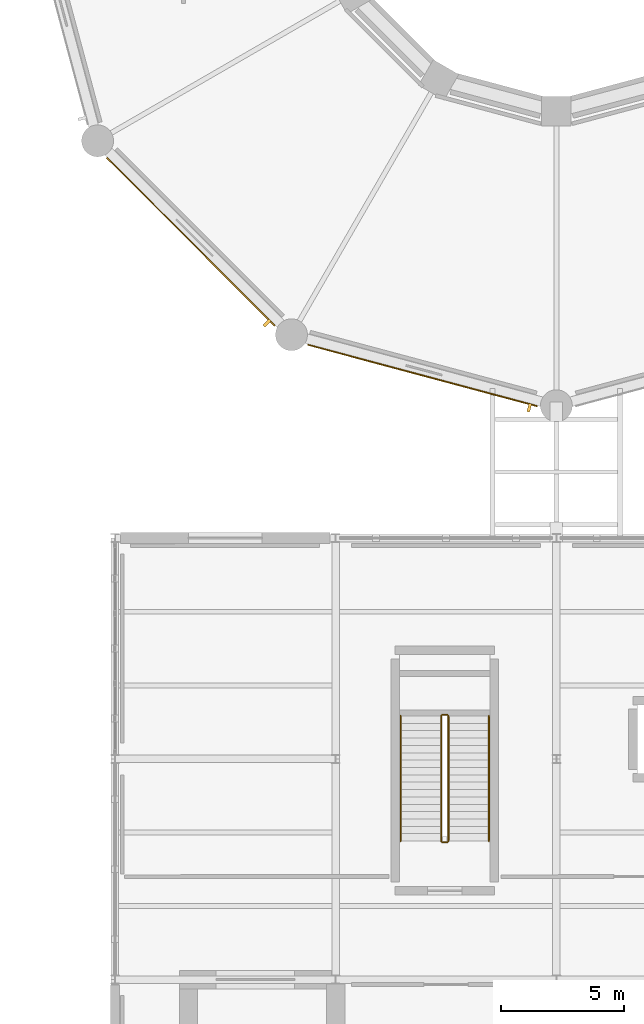
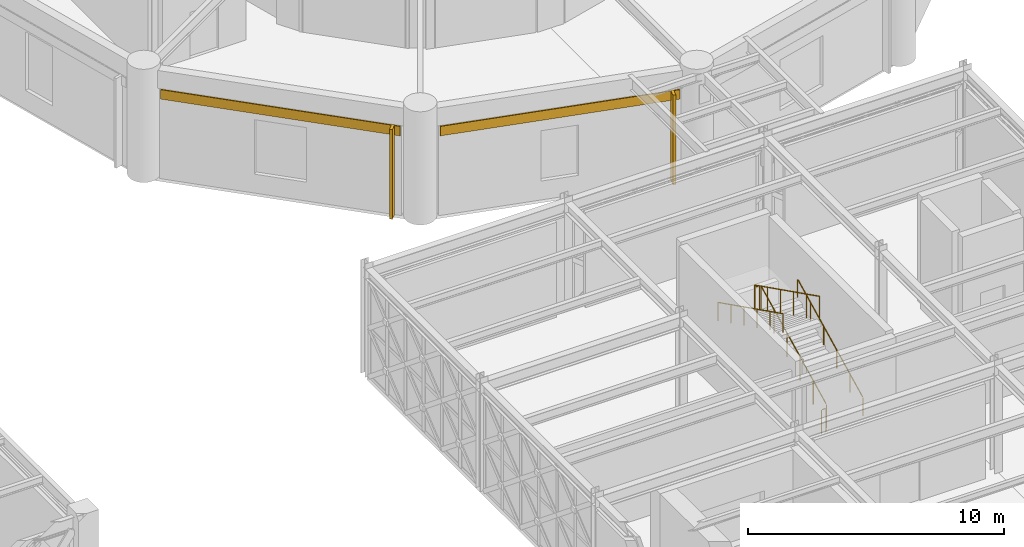
# One storey, part 157 of 166: 6 railings, 2 coverings, 2 shading devices.
"""IFC4 building model written with IfcOpenShell, lengths in metres."""

from ifc_helpers import new_model, si_unit, direction, frame, origin, origin_2d, place, context, subcontext, project, spatial, rectangle, circle, extrude, material, type_object, element, save


model = new_model("IFC4")

# Units and contexts
model_context = context("Model", 3, precision=1e-05, world=origin(), true_north=direction((0.0, 1.0)))
body_context = subcontext(model_context, "Body", "Model", "MODEL_VIEW")
ifc_project = project(units=[si_unit("LENGTHUNIT", "METRE"), si_unit("AREAUNIT", "SQUARE_METRE"), si_unit("VOLUMEUNIT", "CUBIC_METRE"), si_unit("PLANEANGLEUNIT", "RADIAN"), si_unit("MASSUNIT", "GRAM", prefix="KILO")], contexts=[model_context])

# Site, building, storey
site_placement = place(None, origin())
site = spatial("IfcSite", under=ifc_project, at=site_placement, CompositionType="ELEMENT")
building_placement = place(site_placement, origin())
building = spatial("IfcBuilding", under=site, at=building_placement, Name="Haizhuo Lancet Aquarium", CompositionType="ELEMENT")
storey_placement = place(building_placement, frame((0.0, 0.0, 5.39990234375)))
storey = spatial("IfcBuildingStorey", under=building, at=storey_placement, Name="L01", CompositionType="ELEMENT", Elevation=5.39990234375)

# Railings
ifc_material_1 = material(Name="Steel S355", Category="steel")
railing_type_1 = type_object("IfcRailingType", Name="RL-GRD-1150", PredefinedType="GUARDRAIL", material=ifc_material_1)
railing_1_placement = place(storey_placement, frame((-4.39990234375, -39.35009765625, 0.150146484375)))
element("IfcRailing", 1, at=railing_1_placement, inside=storey, type_object=railing_type_1, Name="L01 ST-06 stair guard 1", PredefinedType="GUARDRAIL", context=body_context, shape_type="SweptSolid", body=[
    extrude(circle(Radius=0.02392578125, at=origin_2d()), frame((0.0, 0.02685546875, 1.13916015625), z_axis=(0.0, 0.894427191, 0.4472135955), x_axis=(-1.0, 0.0, 0.0)), (0.0, 0.0, 1.0), 5.64208984375),
    extrude(circle(Radius=0.02099609375, at=origin_2d()), origin(), (0.0, 0.0, 1.0), 1.097900390625),
    extrude(circle(Radius=0.02099609375, at=origin_2d()), frame((0.0, 1.02001953125, 0.510009765625)), (0.0, 0.0, 1.0), 1.097900390625),
    extrude(circle(Radius=0.02099609375, at=origin_2d()), frame((0.0, 2.0400390625, 1.02001953125)), (0.0, 0.0, 1.0), 1.097900390625),
    extrude(circle(Radius=0.02099609375, at=origin_2d()), frame((0.0, 3.06005859375, 1.530029296875)), (0.0, 0.0, 1.0), 1.097900390625),
    extrude(circle(Radius=0.02099609375, at=origin_2d()), frame((0.0, 4.080078125, 2.0400390625)), (0.0, 0.0, 1.0), 1.097900390625),
    extrude(circle(Radius=0.02099609375, at=origin_2d()), frame((0.0, 5.10009765625, 2.550048828125)), (0.0, 0.0, 1.0), 1.097900390625),
])
railing_2_placement = place(storey_placement, frame((-4.449951171875, -34.199951171875, 2.7001953125)))
element("IfcRailing", 2, at=railing_2_placement, inside=storey, type_object=railing_type_1, Name="L01 ST-06 stair guard 2", PredefinedType="GUARDRAIL", context=body_context, shape_type="SweptSolid", body=[
    extrude(circle(Radius=0.02392578125, at=origin_2d()), frame((-0.030029296875, 0.0, 1.1259765625), z_axis=(-1.0, 0.0, 0.0), x_axis=(0.0, -1.0, 0.0)), (0.0, 0.0, 1.0), 0.139892578125),
    extrude(circle(Radius=0.02099609375, at=origin_2d()), origin(), (0.0, 0.0, 1.0), 1.097900390625),
    extrude(circle(Radius=0.02099609375, at=origin_2d()), frame((-0.199951171875, 0.0, 0.0)), (0.0, 0.0, 1.0), 1.097900390625),
])
railing_3_placement = place(storey_placement, frame((-4.699951171875, -34.25, 2.85009765625)))
element("IfcRailing", 3, at=railing_3_placement, inside=storey, type_object=railing_type_1, Name="L01 ST-06 stair guard 3", PredefinedType="GUARDRAIL", context=body_context, shape_type="SweptSolid", body=[
    extrude(circle(Radius=0.02392578125, at=origin_2d()), frame((0.0, -0.02685546875, 1.13916015625), z_axis=(0.0, -0.894427191, 0.4472135955), x_axis=(1.0, 0.0, 0.0)), (0.0, 0.0, 1.0), 5.64208984375),
    extrude(circle(Radius=0.02099609375, at=origin_2d()), origin(), (0.0, 0.0, 1.0), 1.097900390625),
    extrude(circle(Radius=0.02099609375, at=origin_2d()), frame((0.0, -1.02001953125, 0.510009765625)), (0.0, 0.0, 1.0), 1.097900390625),
    extrude(circle(Radius=0.02099609375, at=origin_2d()), frame((0.0, -2.0400390625, 1.02001953125)), (0.0, 0.0, 1.0), 1.097900390625),
    extrude(circle(Radius=0.02099609375, at=origin_2d()), frame((0.0, -3.06005859375, 1.530029296875)), (0.0, 0.0, 1.0), 1.097900390625),
    extrude(circle(Radius=0.02099609375, at=origin_2d()), frame((0.0, -4.080078125, 2.0400390625)), (0.0, 0.0, 1.0), 1.097900390625),
    extrude(circle(Radius=0.02099609375, at=origin_2d()), frame((0.0, -5.10009765625, 2.550048828125)), (0.0, 0.0, 1.0), 1.097900390625),
])
railing_4_placement = place(storey_placement, frame((-4.449951171875, -39.39990234375, 0.0)))
element("IfcRailing", 4, at=railing_4_placement, inside=storey, type_object=railing_type_1, Name="L01 ST-06 stair guard 4", PredefinedType="GUARDRAIL", context=body_context, shape_type="SweptSolid", body=[
    extrude(circle(Radius=0.02392578125, at=origin_2d()), frame((-0.030029296875, 0.0, 1.1259765625), z_axis=(-1.0, 0.0, 0.0), x_axis=(0.0, -1.0, 0.0)), (0.0, 0.0, 1.0), 0.139892578125),
    extrude(circle(Radius=0.02099609375, at=origin_2d()), origin(), (0.0, 0.0, 1.0), 1.097900390625),
    extrude(circle(Radius=0.02099609375, at=origin_2d()), frame((-0.199951171875, 0.0, 0.0)), (0.0, 0.0, 1.0), 1.097900390625),
])
railing_type_2 = type_object("IfcRailingType", Name="RL-HDR-900", PredefinedType="HANDRAIL", material=ifc_material_1)
railing_5_placement = place(storey_placement, frame((-2.75, -39.35009765625, 0.150146484375)))
element("IfcRailing", 5, at=railing_5_placement, inside=storey, type_object=railing_type_2, Name="L01 ST-06 pitch handrail 1", PredefinedType="HANDRAIL", context=body_context, shape_type="SweptSolid", body=[
    extrude(circle(Radius=0.02392578125, at=origin_2d()), frame((0.0, 0.02685546875, 0.88916015625), z_axis=(0.0, 0.894427191, 0.4472135955), x_axis=(-1.0, 0.0, 0.0)), (0.0, 0.0, 1.0), 5.64208984375),
    extrude(circle(Radius=0.02099609375, at=origin_2d()), origin(), (0.0, 0.0, 1.0), 0.847900390625),
    extrude(circle(Radius=0.02099609375, at=origin_2d()), frame((0.0, 1.02001953125, 0.510009765625)), (0.0, 0.0, 1.0), 0.847900390625),
    extrude(circle(Radius=0.02099609375, at=origin_2d()), frame((0.0, 2.0400390625, 1.02001953125)), (0.0, 0.0, 1.0), 0.847900390625),
    extrude(circle(Radius=0.02099609375, at=origin_2d()), frame((0.0, 3.06005859375, 1.530029296875)), (0.0, 0.0, 1.0), 0.847900390625),
    extrude(circle(Radius=0.02099609375, at=origin_2d()), frame((0.0, 4.080078125, 2.0400390625)), (0.0, 0.0, 1.0), 0.847900390625),
    extrude(circle(Radius=0.02099609375, at=origin_2d()), frame((0.0, 5.10009765625, 2.550048828125)), (0.0, 0.0, 1.0), 0.847900390625),
])
railing_6_placement = place(storey_placement, frame((-6.35009765625, -34.25, 2.85009765625)))
element("IfcRailing", 6, at=railing_6_placement, inside=storey, type_object=railing_type_2, Name="L01 ST-06 pitch handrail 2", PredefinedType="HANDRAIL", context=body_context, shape_type="SweptSolid", body=[
    extrude(circle(Radius=0.02392578125, at=origin_2d()), frame((0.0, -0.02685546875, 0.88916015625), z_axis=(0.0, -0.894427191, 0.4472135955), x_axis=(1.0, 0.0, 0.0)), (0.0, 0.0, 1.0), 5.64208984375),
    extrude(circle(Radius=0.02099609375, at=origin_2d()), origin(), (0.0, 0.0, 1.0), 0.847900390625),
    extrude(circle(Radius=0.02099609375, at=origin_2d()), frame((0.0, -1.02001953125, 0.510009765625)), (0.0, 0.0, 1.0), 0.847900390625),
    extrude(circle(Radius=0.02099609375, at=origin_2d()), frame((0.0, -2.0400390625, 1.02001953125)), (0.0, 0.0, 1.0), 0.847900390625),
    extrude(circle(Radius=0.02099609375, at=origin_2d()), frame((0.0, -3.06005859375, 1.530029296875)), (0.0, 0.0, 1.0), 0.847900390625),
    extrude(circle(Radius=0.02099609375, at=origin_2d()), frame((0.0, -4.080078125, 2.0400390625)), (0.0, 0.0, 1.0), 0.847900390625),
    extrude(circle(Radius=0.02099609375, at=origin_2d()), frame((0.0, -5.10009765625, 2.550048828125)), (0.0, 0.0, 1.0), 0.847900390625),
])

# Coverings
ifc_material_2 = material(Name="Shandong Grey Limestone Ashlar", Category="masonry")
covering_type = type_object("IfcCoveringType", Name="COV-CLD-STN", PredefinedType="CLADDING", material=ifc_material_2)
for number, where, z_axis, x_axis, name in (
    (7, (-14.908935546875, -14.908935546875, 3.8251953125), (0.0, 0.0, 1.0), (-0.707106781187, 0.707106781187, 0.0), "L01 limestone ashlar spandrel cladding 8"),
    (8, (-5.45703125, -20.365966796875, 3.8251953125), (0.0, 0.0, 1.0), (-0.965932552716, 0.25879394043, 0.0), "L01 limestone ashlar spandrel cladding 9"),
):
    element("IfcCovering", number, at=place(storey_placement, frame(where, z_axis=z_axis, x_axis=x_axis)), inside=storey, type_object=covering_type, material=ifc_material_2, Name=name, PredefinedType="CLADDING", context=body_context, shape_type="SweptSolid", body=[
        extrude(rectangle(XDim=9.69189453125, YDim=0.050048828125, at=origin_2d()), origin(), (0.0, 0.0, 1.0), 0.449951171875),
    ])

# Shading devices
shading_device_type = type_object("IfcShadingDeviceType", Name="SHD-LAN-FIN", PredefinedType="JALOUSIE", material=ifc_material_2)
for number, where, z_axis, x_axis, name in (
    (9, (-11.797119140625, -18.22607421875, 0.000732421875), (0.0, 0.0, 1.0), (-0.707106781187, 0.707106781187, 0.0), "L01 Gothic lancet stone solar fin 8"),
    (10, (-1.10400390625, -21.681884765625, 0.000732421875), (0.0, 0.0, 1.0), (-0.965932552716, 0.25879394043, 0.0), "L01 Gothic lancet stone solar fin 9"),
):
    element("IfcShadingDevice", number, at=place(storey_placement, frame(where, z_axis=z_axis, x_axis=x_axis)), inside=storey, type_object=shading_device_type, material=ifc_material_2, Name=name, PredefinedType="JALOUSIE", context=body_context, shape_type="SweptSolid", body=[
        extrude(rectangle(XDim=0.1201171875, YDim=0.35009765625, at=origin_2d()), origin(), (0.0, 0.0, 1.0), 4.27490234375),
    ])

save(model, "model.ifc")
